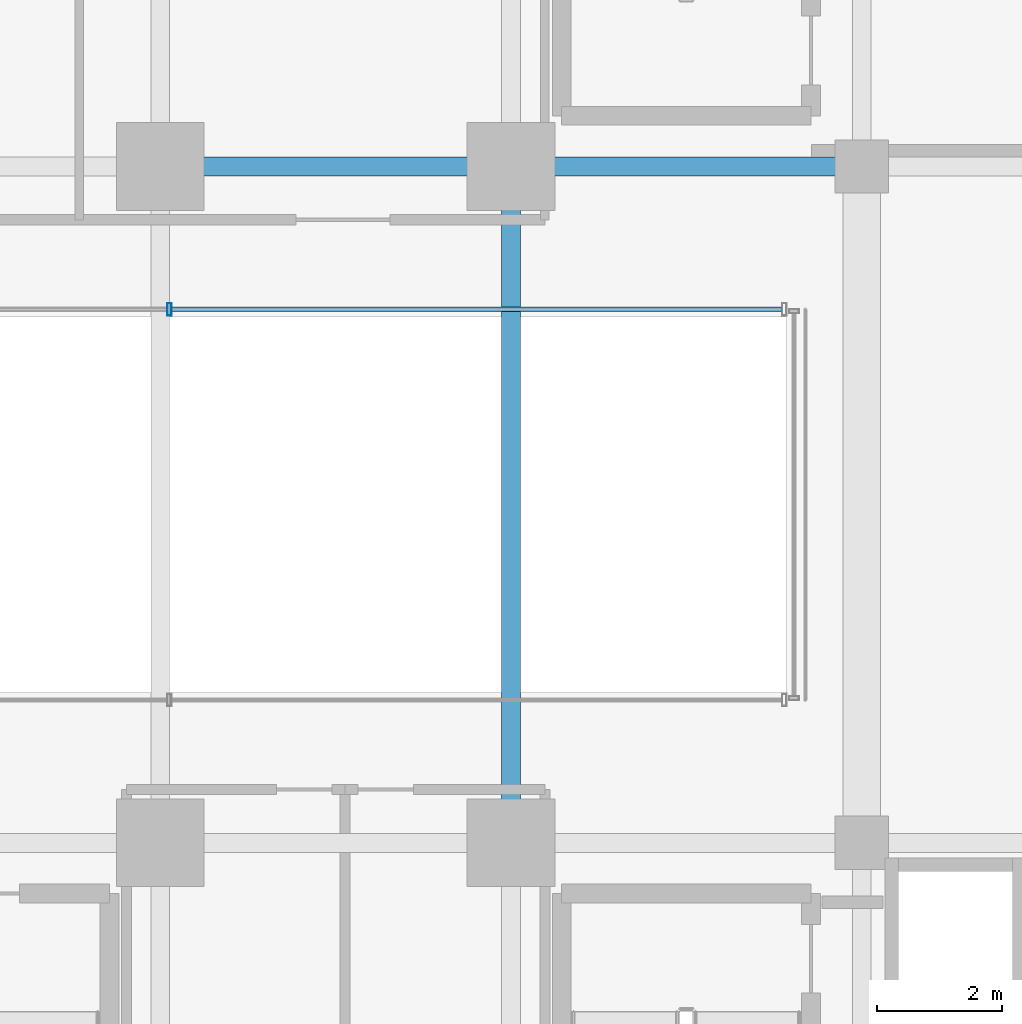
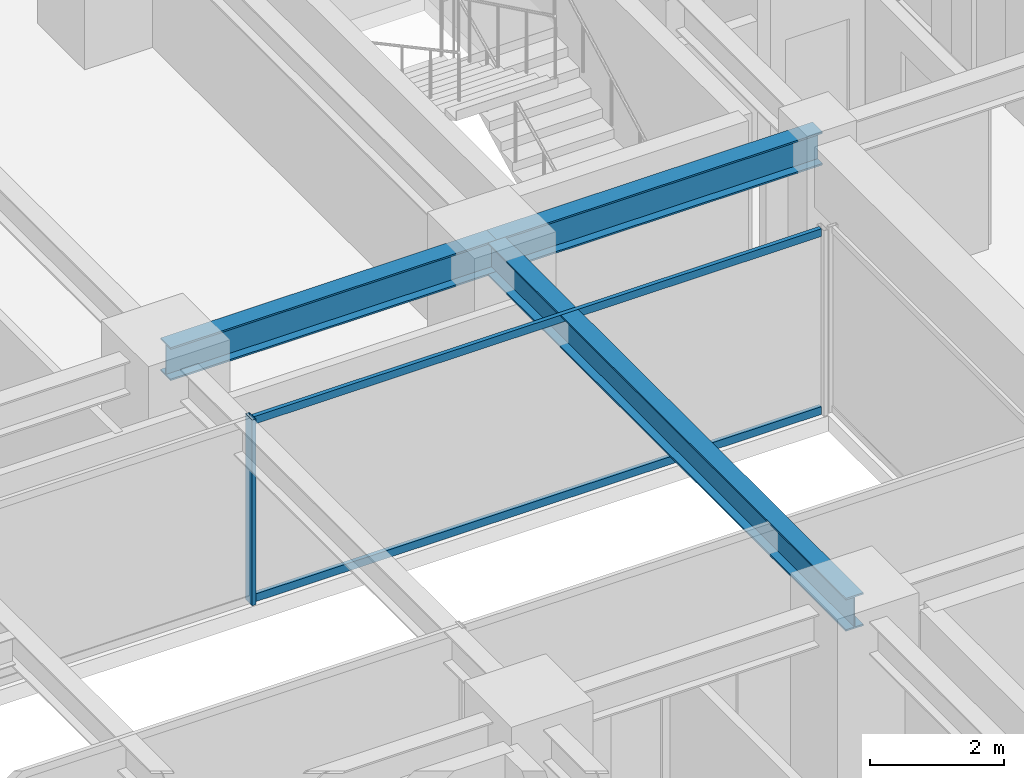
# One storey, part 14 of 47: 3 beams, 3 members, 1 element without a shape of its own.
"""IFC4 building model written with IfcOpenShell, lengths in metres."""

import ifcopenshell
import ifcopenshell.guid

model = None  # the IFC model being written
_history = None  # IfcOwnerHistory: only IFC2X3 demands one
_inside = {}  # id of a spatial element -> (the spatial element, [elements in it])
_under = {}  # id of a project, library or spatial element -> (it, [spatial elements below it])
_declared = {}  # id of a project -> (the project, [libraries it declares])
_typed = {}  # id of a type object -> (the type object, [elements of that type])
_made_of = {}  # id of a material, layer set ... -> (it, [elements and type objects made of it])


def new_model(schema):
    """Start an empty IFC model of exactly this schema.

    Asked for "IFC4X3", IfcOpenShell would pick the latest addendum, in which some entities
    have other attributes; the version numbers below select the first issue.
    IFC2X3 requires an IfcOwnerHistory on every rooted entity: one is made here for all.
    """
    global model, _history
    if schema == "IFC4X3":
        model = ifcopenshell.file(schema_version=(4, 3, 0, 0))
    else:
        model = ifcopenshell.file(schema=schema)
    _inside.clear()
    _under.clear()
    _declared.clear()
    _typed.clear()
    _made_of.clear()
    _history = None
    if model.schema == "IFC2X3":
        org = make("IfcOrganization", Name="unknown")
        user = make(
            "IfcPersonAndOrganization",
            ThePerson=make("IfcPerson", FamilyName="unknown"),
            TheOrganization=org,
        )
        app = make(
            "IfcApplication",
            ApplicationDeveloper=org,
            Version="unknown",
            ApplicationFullName="unknown",
            ApplicationIdentifier="unknown",
        )
        _history = make(
            "IfcOwnerHistory",
            OwningUser=user,
            OwningApplication=app,
            ChangeAction="ADDED",
            CreationDate=0,
        )
    return model


def make(cls, **values):
    """One entity of the class cls with the attributes given. An attribute that is None is left unset."""
    return model.create_entity(
        cls, **{name: value for name, value in values.items() if value is not None}
    )


def rooted(cls, **values):
    """An entity with a GlobalId (a new one), such as an element, a storey or a relation."""
    return make(cls, GlobalId=ifcopenshell.guid.new(), OwnerHistory=_history, **values)


def si_unit(unit_type, name, prefix=None):
    """IfcSIUnit, for example si_unit("LENGTHUNIT", "METRE", prefix="MILLI")."""
    return make("IfcSIUnit", UnitType=unit_type, Prefix=prefix, Name=name)


def assignment(units):
    """IfcUnitAssignment: the units of a project."""
    return None if units is None else make("IfcUnitAssignment", Units=units)


def point(xyz):
    """IfcCartesianPoint."""
    return None if xyz is None else make("IfcCartesianPoint", Coordinates=xyz)


def direction(xyz):
    """IfcDirection."""
    return None if xyz is None else make("IfcDirection", DirectionRatios=xyz)


def frame(location, z_axis=None, x_axis=None):
    """IfcAxis2Placement3D, a coordinate frame: its origin and axes. An axis left out is left unset."""
    return make(
        "IfcAxis2Placement3D",
        Location=point(location),
        Axis=direction(z_axis),
        RefDirection=direction(x_axis),
    )


def frame_2d(location, x_axis=None):
    """IfcAxis2Placement2D, a coordinate frame in the plane: its origin and x axis."""
    return make(
        "IfcAxis2Placement2D", Location=point(location), RefDirection=direction(x_axis)
    )


def origin():
    """The frame at (0, 0, 0) with its axes left unset."""
    return frame((0.0, 0.0, 0.0))


def origin_2d():
    """The frame at (0, 0) in the plane with its x axis left unset."""
    return frame_2d((0.0, 0.0))


def place(relative_to, where):
    """IfcLocalPlacement: puts the frame where relative to a parent placement (None: the world)."""
    return make(
        "IfcLocalPlacement", PlacementRelTo=relative_to, RelativePlacement=where
    )


def context(
    kind, dimensions, precision=None, world=None, true_north=None, identifier=None
):
    """IfcGeometricRepresentationContext, for example the 3D "Model" context."""
    return make(
        "IfcGeometricRepresentationContext",
        ContextIdentifier=identifier,
        ContextType=kind,
        CoordinateSpaceDimension=dimensions,
        Precision=precision,
        WorldCoordinateSystem=world,
        TrueNorth=true_north,
    )


def subcontext(parent, identifier, kind, view, scale=None):
    """IfcGeometricRepresentationSubContext, for example "Body" below "Model"."""
    return make(
        "IfcGeometricRepresentationSubContext",
        ContextIdentifier=identifier,
        ContextType=kind,
        ParentContext=parent,
        TargetScale=scale,
        TargetView=view,
    )


def project(units=None, contexts=None):
    """IfcProject with its units and contexts."""
    return rooted(
        "IfcProject",
        Name="project",
        RepresentationContexts=contexts,
        UnitsInContext=assignment(units),
    )


def spatial(cls, under=None, at=None, **own):
    """A site, building, storey or space (cls), placed at a placement, below another one or the project."""
    s = rooted(cls, ObjectPlacement=at, **own)
    if under is not None:
        _under.setdefault(under.id(), (under, []))[1].append(s)
    return s


def profile(cls, at=None, kind="AREA", **sizes):
    """A parametric profile (cls). Its sizes go by their IFC names, for example OverallWidth=200.0."""
    return make(cls, ProfileType=kind, Position=at, **sizes)


def hollow_rectangle(**sizes):
    """IfcRectangleHollowProfileDef."""
    return profile("IfcRectangleHollowProfileDef", **sizes)


def i_section(**sizes):
    """IfcIShapeProfileDef."""
    return profile("IfcIShapeProfileDef", **sizes)


def extrude(swept, where, along, depth):
    """IfcExtrudedAreaSolid: the profile swept, set in the frame where, extruded along a direction by depth."""
    return make(
        "IfcExtrudedAreaSolid",
        SweptArea=swept,
        Position=where,
        ExtrudedDirection=direction(along),
        Depth=depth,
    )


def shape(context_of_items, identifier, shape_type, items):
    """IfcShapeRepresentation: the items that make up one representation, for example the "Body"."""
    return make(
        "IfcShapeRepresentation",
        ContextOfItems=context_of_items,
        RepresentationIdentifier=identifier,
        RepresentationType=shape_type,
        Items=items,
    )


def source(mapping_origin, context_of_items, identifier, shape_type, items):
    """IfcRepresentationMap: a shape defined once, which mapped items show again and again."""
    return make(
        "IfcRepresentationMap",
        MappingOrigin=mapping_origin,
        MappedRepresentation=shape(context_of_items, identifier, shape_type, items),
    )


def transform(
    local_origin,
    x_axis=None,
    y_axis=None,
    z_axis=None,
    scale=None,
    scale2=None,
    scale3=None,
    uniform=True,
):
    """IfcCartesianTransformationOperator3D, or its non-uniform kind. x_axis, y_axis, z_axis: its Axis1, 2, 3."""
    if uniform:
        return make(
            "IfcCartesianTransformationOperator3D",
            Axis1=direction(x_axis),
            Axis2=direction(y_axis),
            LocalOrigin=point(local_origin),
            Scale=scale,
            Axis3=direction(z_axis),
        )
    return make(
        "IfcCartesianTransformationOperator3DnonUniform",
        Axis1=direction(x_axis),
        Axis2=direction(y_axis),
        LocalOrigin=point(local_origin),
        Scale=scale,
        Axis3=direction(z_axis),
        Scale2=scale2,
        Scale3=scale3,
    )


def mapped(mapping_source, mapping_target):
    """IfcMappedItem: shows the shape of a source again, moved by a transform."""
    return make(
        "IfcMappedItem", MappingSource=mapping_source, MappingTarget=mapping_target
    )


def material(Name=None, Category=None):
    """IfcMaterial."""
    return make("IfcMaterial", Name=Name, Category=Category)


def material_profile(
    of_material, cross_section, Name=None, Category=None, Priority=None
):
    """IfcMaterialProfile: a cross section and its material."""
    return make(
        "IfcMaterialProfile",
        Name=Name,
        Material=of_material,
        Profile=cross_section,
        Priority=Priority,
        Category=Category,
    )


def profile_set(profiles, Name=None, composite=None):
    """IfcMaterialProfileSet."""
    return make(
        "IfcMaterialProfileSet",
        Name=Name,
        MaterialProfiles=profiles,
        CompositeProfile=composite,
    )


def made_of(thing, what):
    """Note that an element or type object is made of a material, layer set ...; save() writes the relation."""
    if what is not None:
        _made_of.setdefault(what.id(), (what, []))[1].append(thing)
    return thing


def type_object(cls, material=None, **own):
    """A type object (cls), such as IfcWallType, which elements share."""
    return made_of(rooted(cls, **own), material)


def element(
    cls,
    number,
    at=None,
    inside=None,
    cuts=None,
    type_object=None,
    material=None,
    context=None,
    identifier="Body",
    shape_type=None,
    held_by="IfcProductDefinitionShape",
    body=None,
    shapes=None,
    **own,
):
    """One element of the class cls, such as IfcWall. Its Tag is "e" and its number.

    at: its placement. inside: the storey or other place that contains it. cuts: it is an
    opening in that element (IfcRelVoidsElement). A single representation is given by context,
    identifier, shape_type and body (its items); several are given by shapes. held_by: the class
    of the entity that holds the representations. save() writes the other relations.
    """
    e = rooted(cls, Tag="e%d" % number, ObjectPlacement=at, **own)
    if body is not None:
        shapes = [shape(context, identifier, shape_type, body)]
    if shapes is not None:
        e.Representation = make(held_by, Representations=shapes)
    if inside is not None:
        _inside.setdefault(inside.id(), (inside, []))[1].append(e)
    if cuts is not None:
        rooted(
            "IfcRelVoidsElement", RelatingBuildingElement=cuts, RelatedOpeningElement=e
        )
    if type_object is not None:
        _typed.setdefault(type_object.id(), (type_object, []))[1].append(e)
    return made_of(e, material)


def aggregate(whole, parts):
    """IfcRelAggregates: a whole, such as a stair, and the parts it consists of."""
    return rooted("IfcRelAggregates", RelatingObject=whole, RelatedObjects=parts)


def save(model, path):
    """Write the relations noted so far, then the file.

    IfcRelAggregates (storeys below a building ...), IfcRelContainedInSpatialStructure (elements
    in a storey), IfcRelDefinesByType, IfcRelAssociatesMaterial and IfcRelDeclares: one each for
    every whole, place, type object, material and project.
    """
    for whole, parts in _under.values():
        aggregate(whole, parts)
    for where, things in _inside.values():
        rooted(
            "IfcRelContainedInSpatialStructure",
            RelatedElements=things,
            RelatingStructure=where,
        )
    for kind, things in _typed.values():
        rooted("IfcRelDefinesByType", RelatedObjects=things, RelatingType=kind)
    for what, things in _made_of.values():
        rooted("IfcRelAssociatesMaterial", RelatedObjects=things, RelatingMaterial=what)
    for by, libraries in _declared.values():
        rooted("IfcRelDeclares", RelatingContext=by, RelatedDefinitions=libraries)
    model.write(path)


model = new_model("IFC4")

# Units and contexts
model_context = context("Model", 3, precision=1e-05, world=origin(), true_north=direction((0.0, 1.0)))
body_context = subcontext(model_context, "Body", "Model", "MODEL_VIEW")
ifc_project = project(units=[si_unit("LENGTHUNIT", "METRE"), si_unit("AREAUNIT", "SQUARE_METRE"), si_unit("VOLUMEUNIT", "CUBIC_METRE"), si_unit("PLANEANGLEUNIT", "RADIAN"), si_unit("MASSUNIT", "GRAM", prefix="KILO")], contexts=[model_context])

# Site, building, storey
site_placement = place(None, origin())
site = spatial("IfcSite", under=ifc_project, at=site_placement, CompositionType="ELEMENT")
building_placement = place(site_placement, origin())
building = spatial("IfcBuilding", under=site, at=building_placement, Name="Nahalor Promenade Grand Hotel", CompositionType="ELEMENT")
storey_placement = place(building_placement, frame((0.0, 0.0, 68.89990234375)))
storey = spatial("IfcBuildingStorey", under=building, at=storey_placement, Name="L16", CompositionType="ELEMENT", Elevation=68.89990234375)

# Beams
ifc_material_1 = material(Name="Steel S355JR", Category="steel")
ifc_material_profile_1 = material_profile(ifc_material_1, i_section(OverallWidth=0.3, OverallDepth=0.6, WebThickness=0.0155, FlangeThickness=0.03, at=origin_2d()), Name="HEB 600")
ifc_profile_set_1 = profile_set([ifc_material_profile_1], Name="Steel S355JR")
beam_type = type_object("IfcBeamType", Name="Beam-Girder-HEB600", PredefinedType="BEAM", material=ifc_profile_set_1)
shared_shape_1 = source(origin(), body_context, "Body", "SweptSolid", [
    extrude(i_section(OverallWidth=0.3, OverallDepth=0.6, WebThickness=0.0155, FlangeThickness=0.03, at=origin_2d()), origin(), (0.0, 0.0, 1.0), 5.599853515625),
])
beam_1_placement = place(storey_placement, frame((2.800048828125, 5.39990234375, 3.070068359375), z_axis=(1.0, 0.0, 0.0), x_axis=(0.0, 1.0, 0.0)))
element("IfcBeam", 1, at=beam_1_placement, inside=storey, type_object=beam_type, Name="BM-L16-GX-2-4", PredefinedType="BEAM", context=body_context, shape_type="MappedRepresentation", body=[
    mapped(shared_shape_1, transform((0.0, 0.0, 0.0), scale=1.0)),
])
shared_shape_2 = source(origin(), body_context, "Body", "SweptSolid", [
    extrude(i_section(OverallWidth=0.3, OverallDepth=0.6, WebThickness=0.0155, FlangeThickness=0.03, at=origin_2d()), origin(), (0.0, 0.0, 1.0), 5.60009765625),
])
beam_2_placement = place(storey_placement, frame((-2.800048828125, 5.39990234375, 3.070068359375), z_axis=(1.0, 0.0, 0.0), x_axis=(0.0, 1.0, 0.0)))
element("IfcBeam", 2, at=beam_2_placement, inside=storey, type_object=beam_type, Name="BM-L16-GX-2-3", PredefinedType="BEAM", context=body_context, shape_type="MappedRepresentation", body=[
    mapped(shared_shape_2, transform((0.0, 0.0, 0.0), scale=1.0)),
])
shared_shape_3 = source(origin(), body_context, "Body", "SweptSolid", [
    extrude(i_section(OverallWidth=0.3, OverallDepth=0.6, WebThickness=0.0155, FlangeThickness=0.03, at=origin_2d()), origin(), (0.0, 0.0, 1.0), 10.7998046875),
])
beam_3_placement = place(storey_placement, frame((2.800048828125, -5.39990234375, 3.070068359375), z_axis=(0.0, 1.0, 0.0), x_axis=(-1.0, 0.0, 0.0)))
element("IfcBeam", 3, at=beam_3_placement, inside=storey, type_object=beam_type, Name="BM-L16-GY-3-2", PredefinedType="BEAM", context=body_context, shape_type="MappedRepresentation", body=[
    mapped(shared_shape_3, transform((0.0, 0.0, 0.0), scale=1.0)),
])

# Curtain wall, members
ifc_material_2 = material(Name="Anodised Bronze Aluminium EN AW-6063 T6", Category="aluminium")
curtain_wall_type = type_object("IfcCurtainWallType", Name="CW3 Elliptical-Void Collar Unitised Curtain Wall", PredefinedType="USERDEFINED", material=ifc_material_2)
curtain_wall_placement = place(storey_placement, origin())
curtain_wall = element("IfcCurtainWall", 4, at=curtain_wall_placement, inside=storey, type_object=curtain_wall_type, Name="L16 Curtain Wall CW-L16-VOID-WN1", ObjectType="UNITISED_CURTAIN_WALL", PredefinedType="USERDEFINED")
ifc_material_profile_2 = material_profile(ifc_material_2, hollow_rectangle(XDim=0.07, YDim=0.14, WallThickness=0.004, at=origin_2d()), Name="CWT 70x140x4")
ifc_profile_set_2 = profile_set([ifc_material_profile_2], Name="Anodised Bronze Aluminium EN AW-6063 T6")
member_type_1 = type_object("IfcMemberType", Name="CWT3 Void Collar Transom 70x140", PredefinedType="USERDEFINED", material=ifc_profile_set_2)
shared_shape_4 = source(origin(), body_context, "Body", "SweptSolid", [
    extrude(hollow_rectangle(XDim=0.07, YDim=0.14, WallThickness=0.004, at=origin_2d()), origin(), (0.0, 0.0, 1.0), 9.748291015625),
])
member_1_placement = place(storey_placement, frame((-2.618408203125, 3.118896484375, 0.070068359375), z_axis=(1.0, 0.0, 0.0), x_axis=(0.0, 1.0, 0.0)))
member_1 = element("IfcMember", 5, at=member_1_placement, type_object=member_type_1, Name="CW-L16-VOID-WN1 Transom 2-0", ObjectType="TRANSOM", PredefinedType="USERDEFINED", context=body_context, shape_type="MappedRepresentation", body=[
    mapped(shared_shape_4, transform((0.0, 0.0, 0.0), scale=1.0)),
])
member_2_placement = place(storey_placement, frame((-2.618408203125, 3.118896484375, 3.300048828125), z_axis=(1.0, 0.0, 0.0), x_axis=(0.0, 1.0, 0.0)))
member_2 = element("IfcMember", 6, at=member_2_placement, type_object=member_type_1, Name="CW-L16-VOID-WN1 Transom 2-1", ObjectType="TRANSOM", PredefinedType="USERDEFINED", context=body_context, shape_type="MappedRepresentation", body=[
    mapped(shared_shape_4, transform((0.0, 0.0, 0.0), scale=1.0)),
])
ifc_material_profile_3 = material_profile(ifc_material_2, hollow_rectangle(XDim=0.07, YDim=0.2, WallThickness=0.005, at=origin_2d()), Name="CWM 70x200x5")
ifc_profile_set_3 = profile_set([ifc_material_profile_3], Name="Anodised Bronze Aluminium EN AW-6063 T6")
member_type_2 = type_object("IfcMemberType", Name="CWM3 Void Collar Mullion 70x200", PredefinedType="MULLION", material=ifc_profile_set_3)
shared_shape_5 = source(origin(), body_context, "Body", "SweptSolid", [
    extrude(hollow_rectangle(XDim=0.07, YDim=0.2, WallThickness=0.005, at=origin_2d()), origin(), (0.0, 0.0, 1.0), 3.3701171875),
])
member_3_placement = place(storey_placement, frame((-2.6533203125, 3.118896484375, 0.0), z_axis=(0.0, 0.0, 1.0), x_axis=(1.0, 0.0, 0.0)))
member_3 = element("IfcMember", 7, at=member_3_placement, type_object=member_type_2, Name="CW-L16-VOID-WN1 Mullion 2", PredefinedType="MULLION", context=body_context, shape_type="MappedRepresentation", body=[
    mapped(shared_shape_5, transform((0.0, 0.0, 0.0), scale=1.0)),
])
aggregate(curtain_wall, [member_3, member_1, member_2])

save(model, "model.ifc")
